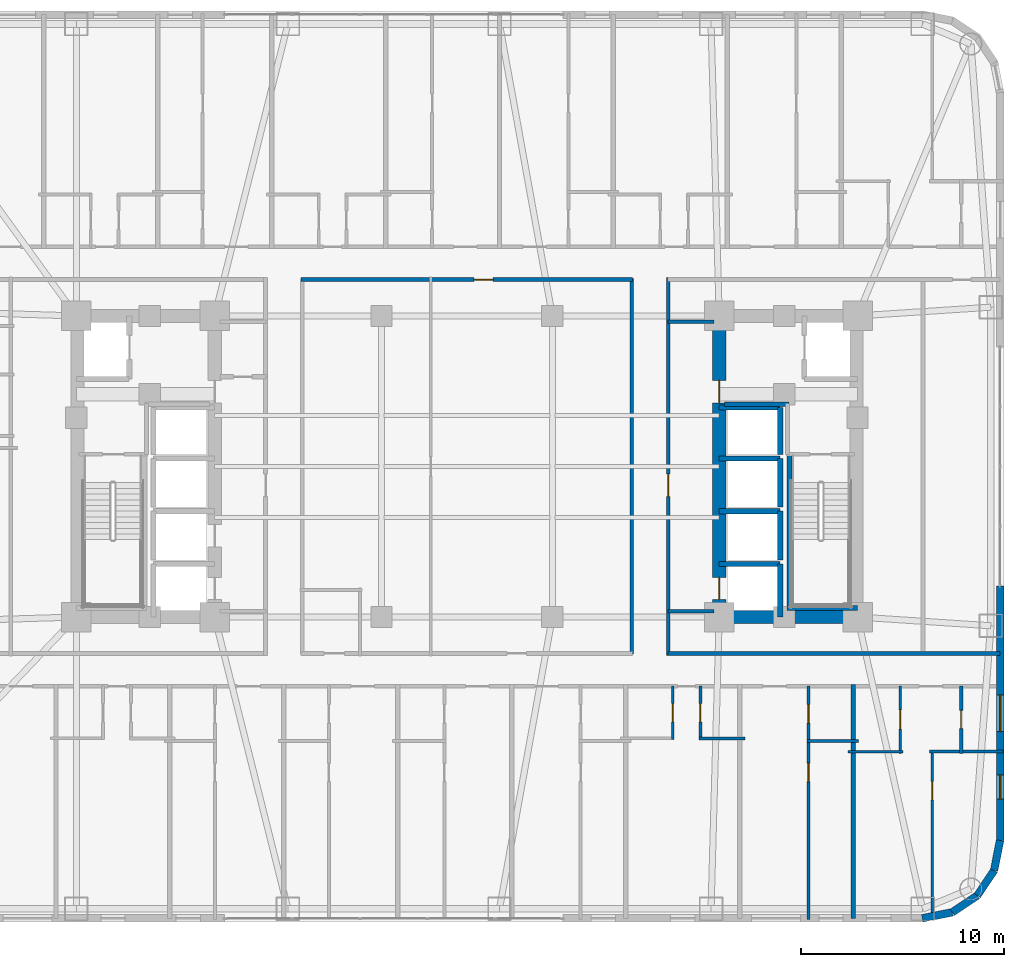
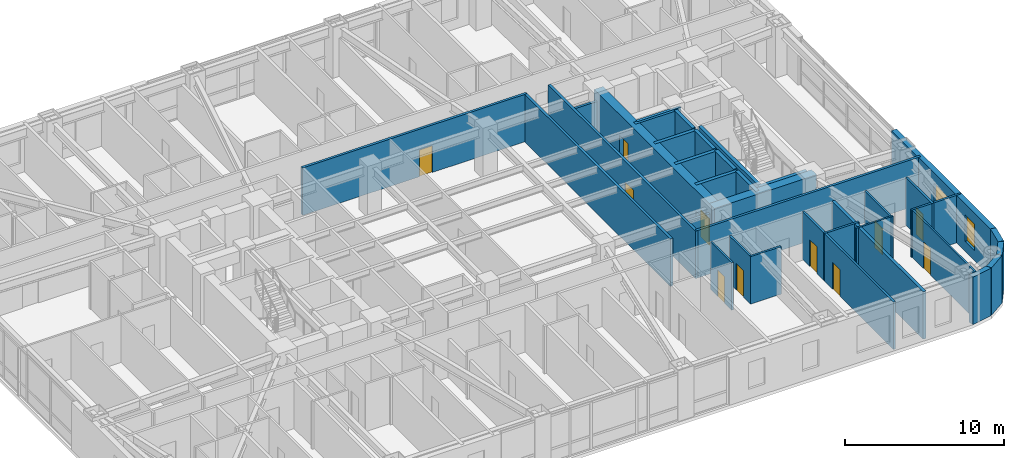
# One storey, part 23 of 28: 36 walls, 11 doors, 2 windows, 13 openings.
"""IFC4 building model written with IfcOpenShell, lengths in metres."""

from ifc_helpers import new_model, si_unit, direction, frame, frame_2d, origin, place, context, subcontext, project, spatial, rectangle, extrude, material, layer, layer_set, type_object, element, fill, save


model = new_model("IFC4")

# Units and contexts
model_context = context("Model", 3, precision=1e-05, world=origin(), true_north=direction((0.0, 1.0)))
body_context = subcontext(model_context, "Body", "Model", "MODEL_VIEW")
ifc_project = project(units=[si_unit("LENGTHUNIT", "METRE"), si_unit("AREAUNIT", "SQUARE_METRE"), si_unit("VOLUMEUNIT", "CUBIC_METRE"), si_unit("PLANEANGLEUNIT", "RADIAN"), si_unit("MASSUNIT", "GRAM", prefix="KILO")], contexts=[model_context])

# Site, building, storey
site_placement = place(None, origin())
site = spatial("IfcSite", under=ifc_project, at=site_placement, CompositionType="ELEMENT")
building_placement = place(site_placement, origin())
building = spatial("IfcBuilding", under=site, at=building_placement, Name="Voryun Gate Residences", CompositionType="ELEMENT")
storey_placement = place(building_placement, frame((0.0, 0.0, 61.10009765625)))
storey = spatial("IfcBuildingStorey", under=building, at=storey_placement, Name="L14", CompositionType="ELEMENT", Elevation=61.10009765625)

# Wall
ifc_material_1 = material(Name="Concrete C60/75", Category="concrete")
ifc_layer_1 = layer(ifc_material_1, 0.64990234375, Name="CW_CORE_650")
ifc_layer_set_1 = layer_set([ifc_layer_1], Name="Concrete C60/75")
wall_type_1 = type_object("IfcWallType", Name="CW_CORE_650", PredefinedType="SHEAR", material=ifc_layer_set_1)
wall_1_placement = place(storey_placement, frame((12.074951171875, -7.39990234375, 0.0), z_axis=(0.0, 0.0, 1.0), x_axis=(1.0, 0.0, 0.0)))
element("IfcWall", 1, at=wall_1_placement, inside=storey, type_object=wall_type_1, Name="L14 Core shear wall CW-L14-ES", PredefinedType="SHEAR", context=body_context, shape_type="SweptSolid", body=[
    extrude(rectangle(XDim=7.449951171875, YDim=0.64990234375, at=frame_2d((3.72509765625, 0.0))), origin(), (0.0, 0.0, 1.0), 3.64990234375),
])

# Wall, openings, doors
wall_2_placement = place(storey_placement, frame((12.39990234375, -7.39990234375, 0.0), z_axis=(0.0, 0.0, 1.0), x_axis=(0.0, 1.0, 0.0)))
wall_2 = element("IfcWall", 2, at=wall_2_placement, inside=storey, type_object=wall_type_1, Name="L14 Core shear wall CW-L14-EW", PredefinedType="SHEAR", context=body_context, shape_type="SweptSolid", body=[
    extrude(rectangle(XDim=14.7998046875, YDim=0.64990234375, at=frame_2d((7.39990234375, 0.0))), origin(), (0.0, 0.0, 1.0), 3.64990234375),
])
opening_1_placement = place(wall_2_placement, frame((0.85009765625, 0.0, 0.0)))
opening_1 = element("IfcOpeningElement", 3, at=opening_1_placement, cuts=wall_2, Name="Opening LD2", PredefinedType="OPENING", context=body_context, shape_type="SweptSolid", body=[
    extrude(rectangle(XDim=1.10009765625, YDim=2.050048828125, at=frame_2d((0.550048828125, 1.02490234375))), frame((0.0, 0.3349609375, 0.0), z_axis=(0.0, -1.0, 0.0), x_axis=(1.0, 0.0, 0.0)), (0.0, 0.0, 1.0), 0.669921875),
])
opening_2_placement = place(wall_2_placement, frame((10.530029296875, 0.0, 0.0)))
opening_2 = element("IfcOpeningElement", 4, at=opening_2_placement, cuts=wall_2, Name="Opening D-FD60-2", PredefinedType="OPENING", context=body_context, shape_type="SweptSolid", body=[
    extrude(rectangle(XDim=1.10009765625, YDim=2.050048828125, at=frame_2d((0.550048828125, 1.02490234375))), frame((0.0, 0.3349609375, 0.0), z_axis=(0.0, -1.0, 0.0), x_axis=(1.0, 0.0, 0.0)), (0.0, 0.0, 1.0), 0.669921875),
])
ifc_material_2 = material(Name="Painted steel fire door", Category="steel")
door_type_1 = type_object("IfcDoorType", Name="DR_FD60_FFLOB_1100", OperationType="NOTDEFINED", PredefinedType="DOOR", material=ifc_material_2)
door_1_placement = place(opening_2_placement, origin())
door_1 = element("IfcDoor", 5, at=door_1_placement, inside=storey, type_object=door_type_1, Name="Door DR-L14-CLOB-E", OperationType="SINGLE_SWING_RIGHT", OverallHeight=2.050048828125, OverallWidth=1.10009765625, PredefinedType="DOOR", context=body_context, shape_type="SweptSolid", body=[
    extrude(rectangle(XDim=1.10009765625, YDim=2.050048828125, at=frame_2d((0.550048828125, 1.02490234375))), frame((0.0, 0.02490234375, 0.0), z_axis=(0.0, -1.0, 0.0), x_axis=(1.0, 0.0, 0.0)), (0.0, 0.0, 1.0), 0.050048828125),
])
fill(opening_2, door_1)
ifc_material_3 = material(Name="Anodised aluminium", Category="aluminium")
door_type_2 = type_object("IfcDoorType", Name="DR_LD_PASS_1100", OperationType="NOTDEFINED", PredefinedType="DOOR", material=ifc_material_3)
door_2_placement = place(opening_1_placement, origin())
door_2 = element("IfcDoor", 6, at=door_2_placement, inside=storey, type_object=door_type_2, Name="Lift EL-P3 sliding landing door L14", OperationType="SLIDING_TO_LEFT", OverallHeight=2.050048828125, OverallWidth=1.10009765625, PredefinedType="DOOR", context=body_context, shape_type="SweptSolid", body=[
    extrude(rectangle(XDim=1.10009765625, YDim=2.050048828125, at=frame_2d((0.550048828125, 1.02490234375))), frame((0.0, 0.02490234375, 0.0), z_axis=(0.0, -1.0, 0.0), x_axis=(1.0, 0.0, 0.0)), (0.0, 0.0, 1.0), 0.050048828125),
])
fill(opening_1, door_2)

# Walls
ifc_material_4 = material(Name="Gypsum acoustic fireboard")
ifc_layer_2 = layer(ifc_material_4, 0.179931640625, Name="W_CORR_RATED_180")
ifc_layer_set_2 = layer_set([ifc_layer_2], Name="Gypsum acoustic fireboard")
wall_type_2 = type_object("IfcWallType", Name="W_CORR_RATED_180", PredefinedType="PARTITIONING", material=ifc_layer_set_2)
for number, where, z_axis, x_axis, name in (
    (7, (9.8798828125, 7.1201171875, 0.0), (0.0, 0.0, 1.0), (1.0, 0.0, 0.0), "Partition wall WP-L14-PLBN-E"),
    (8, (9.8798828125, -7.1201171875, 0.0), (0.0, 0.0, 1.0), (1.0, 0.0, 0.0), "Partition wall WP-L14-PLBS-E"),
):
    element("IfcWall", number, at=place(storey_placement, frame(where, z_axis=z_axis, x_axis=x_axis)), inside=storey, type_object=wall_type_2, Name=name, PredefinedType="PARTITIONING", context=body_context, shape_type="SweptSolid", body=[
        extrude(rectangle(XDim=2.27001953125, YDim=0.179931640625, at=frame_2d((1.135009765625, 0.0))), origin(), (0.0, 0.0, 1.0), 2.93994140625),
    ])

# Wall, opening, door
wall_3_placement = place(storey_placement, frame((9.89990234375, -9.280029296875, 0.0), z_axis=(0.0, 0.0, 1.0), x_axis=(0.0, 1.0, 0.0)))
wall_3 = element("IfcWall", 9, at=wall_3_placement, inside=storey, type_object=wall_type_2, Name="Partition wall WP-L14-PLBE-FULL", PredefinedType="PARTITIONING", context=body_context, shape_type="SweptSolid", body=[
    extrude(rectangle(XDim=18.56005859375, YDim=0.179931640625, at=frame_2d((9.280029296875, 0.0))), origin(), (0.0, 0.0, 1.0), 3.64990234375),
])
opening_3_placement = place(wall_3_placement, frame((7.802001953125, 0.0, 0.0)))
opening_3 = element("IfcOpeningElement", 10, at=opening_3_placement, cuts=wall_3, Name="Opening D-FD60-2", PredefinedType="OPENING", context=body_context, shape_type="SweptSolid", body=[
    extrude(rectangle(XDim=1.10009765625, YDim=2.050048828125, at=frame_2d((0.550048828125, 1.02490234375))), frame((0.0, 0.099853515625, 0.0), z_axis=(0.0, -1.0, 0.0), x_axis=(1.0, 0.0, 0.0)), (0.0, 0.0, 1.0), 0.199951171875),
])
door_3_placement = place(opening_3_placement, origin())
door_3 = element("IfcDoor", 11, at=door_3_placement, inside=storey, type_object=door_type_1, Name="Door DR-L14-PLBE-COR", OperationType="SINGLE_SWING_RIGHT", OverallHeight=2.050048828125, OverallWidth=1.10009765625, PredefinedType="DOOR", context=body_context, shape_type="SweptSolid", body=[
    extrude(rectangle(XDim=1.10009765625, YDim=2.050048828125, at=frame_2d((0.550048828125, 1.02490234375))), frame((0.0, 0.02490234375, 0.0), z_axis=(0.0, -1.0, 0.0), x_axis=(1.0, 0.0, 0.0)), (0.0, 0.0, 1.0), 0.050048828125),
])
fill(opening_3, door_3)

# Wall
wall_4_placement = place(storey_placement, frame((9.8798828125, -9.18994140625, 0.0), z_axis=(0.0, 0.0, 1.0), x_axis=(1.0, 0.0, 0.0)))
element("IfcWall", 12, at=wall_4_placement, inside=storey, type_object=wall_type_2, Name="Partition wall WP-L14-CWING-ES", PredefinedType="PARTITIONING", context=body_context, shape_type="SweptSolid", body=[
    extrude(rectangle(XDim=16.330078125, YDim=0.179931640625, at=frame_2d((8.1650390625, 0.0))), origin(), (0.0, 0.0, 1.0), 3.64990234375),
])

# Wall, opening, door
wall_5_placement = place(storey_placement, frame((-8.14990234375, 9.18994140625, 0.0), z_axis=(0.0, 0.0, 1.0), x_axis=(1.0, 0.0, 0.0)))
wall_5 = element("IfcWall", 13, at=wall_5_placement, inside=storey, type_object=wall_type_2, Name="Partition wall WP-L14-Z1N", PredefinedType="PARTITIONING", context=body_context, shape_type="SweptSolid", body=[
    extrude(rectangle(XDim=16.2998046875, YDim=0.179931640625, at=frame_2d((8.14990234375, 0.0))), origin(), (0.0, 0.0, 1.0), 3.64990234375),
])
opening_4_placement = place(wall_5_placement, frame((8.489990234375, 0.0, 0.0)))
opening_4 = element("IfcOpeningElement", 14, at=opening_4_placement, cuts=wall_5, Name="Opening D-INT-1", PredefinedType="OPENING", context=body_context, shape_type="SweptSolid", body=[
    extrude(rectangle(XDim=0.949951171875, YDim=2.050048828125, at=frame_2d((0.47509765625, 1.02490234375))), frame((0.0, 0.099853515625, 0.0), z_axis=(0.0, -1.0, 0.0), x_axis=(1.0, 0.0, 0.0)), (0.0, 0.0, 1.0), 0.199951171875),
])
ifc_material_5 = material(Name="Architectural oak veneer")
door_type_3 = type_object("IfcDoorType", Name="DR_INT_ROOM_950", OperationType="NOTDEFINED", PredefinedType="DOOR", material=ifc_material_5)
door_4_placement = place(opening_4_placement, origin())
door_4 = element("IfcDoor", 15, at=door_4_placement, inside=storey, type_object=door_type_3, Name="Door DR-L14-CMIDZ1N", OperationType="SINGLE_SWING_LEFT", OverallHeight=2.050048828125, OverallWidth=0.949951171875, PredefinedType="DOOR", context=body_context, shape_type="SweptSolid", body=[
    extrude(rectangle(XDim=0.949951171875, YDim=2.050048828125, at=frame_2d((0.47509765625, 1.02490234375))), frame((0.0, 0.02490234375, 0.0), z_axis=(0.0, -1.0, 0.0), x_axis=(1.0, 0.0, 0.0)), (0.0, 0.0, 1.0), 0.050048828125),
])
fill(opening_4, door_4)

# Wall
wall_6_placement = place(storey_placement, frame((8.10009765625, -9.22998046875, 0.0), z_axis=(0.0, 0.0, 1.0), x_axis=(0.0, 1.0, 0.0)))
element("IfcWall", 16, at=wall_6_placement, inside=storey, type_object=wall_type_2, Name="Partition wall WP-L14-Z1E", PredefinedType="PARTITIONING", context=body_context, shape_type="SweptSolid", body=[
    extrude(rectangle(XDim=18.4599609375, YDim=0.179931640625, at=frame_2d((9.22998046875, 0.0))), origin(), (0.0, 0.0, 1.0), 3.64990234375),
])

# Wall, openings, windows
ifc_material_6 = material(Name="Granite masonry", Category="masonry")
ifc_layer_3 = layer(ifc_material_6, 0.3798828125, Name="W_EXT_GRANITE_380")
ifc_layer_set_3 = layer_set([ifc_layer_3], Name="Granite masonry")
wall_type_3 = type_object("IfcWallType", Name="W_EXT_GRANITE_380", PredefinedType="ELEMENTEDWALL", material=ifc_layer_set_3)
wall_7_placement = place(storey_placement, frame((26.2099609375, -5.882080078125, 0.0), z_axis=(0.0, 0.0, 1.0), x_axis=(0.0, -1.0, 0.0)))
wall_7 = element("IfcWall", 17, at=wall_7_placement, inside=storey, type_object=wall_type_3, Name="Exterior wall WEXT-L14-16B", PredefinedType="ELEMENTEDWALL", context=body_context, shape_type="SweptSolid", body=[
    extrude(rectangle(XDim=12.499267578125, YDim=0.3798828125, at=frame_2d((6.24951171875, 0.0))), origin(), (0.0, 0.0, 1.0), 3.64990234375),
])
opening_5_placement = place(wall_7_placement, frame((5.349609375, 0.0, 0.75)))
opening_5 = element("IfcOpeningElement", 18, at=opening_5_placement, cuts=wall_7, Name="Opening WN1", PredefinedType="OPENING", context=body_context, shape_type="SweptSolid", body=[
    extrude(rectangle(XDim=1.800048828125, YDim=2.10009765625, at=frame_2d((0.89990234375, 1.050048828125))), frame((0.0, 0.199951171875, 0.0), z_axis=(0.0, -1.0, 0.0), x_axis=(1.0, 0.0, 0.0)), (0.0, 0.0, 1.0), 0.39990234375),
])
opening_6_placement = place(wall_7_placement, frame((9.273681640625, 0.0, 0.75)))
opening_6 = element("IfcOpeningElement", 19, at=opening_6_placement, cuts=wall_7, Name="Opening WN6", PredefinedType="OPENING", context=body_context, shape_type="SweptSolid", body=[
    extrude(rectangle(XDim=1.199951171875, YDim=2.050048828125, at=frame_2d((0.60009765625, 1.02490234375))), frame((0.0, 0.199951171875, 0.0), z_axis=(0.0, -1.0, 0.0), x_axis=(1.0, 0.0, 0.0)), (0.0, 0.0, 1.0), 0.39990234375),
])
ifc_material_7 = material(Name="Laminated low-E glass", Category="glass")
window_type_1 = type_object("IfcWindowType", Name="WN_POD_SLOT_1200", PartitioningType="SINGLE_PANEL", PredefinedType="WINDOW", material=ifc_material_7)
window_1_placement = place(opening_6_placement, origin())
window_1 = element("IfcWindow", 20, at=window_1_placement, inside=storey, type_object=window_type_1, Name="Window WN-L14-DWFIX-20", OverallHeight=2.050048828125, OverallWidth=1.199951171875, PartitioningType="SINGLE_PANEL", PredefinedType="WINDOW", context=body_context, shape_type="SweptSolid", body=[
    extrude(rectangle(XDim=1.199951171875, YDim=2.050048828125, at=frame_2d((0.60009765625, 1.02490234375))), frame((0.0, 0.030029296875, 0.0), z_axis=(0.0, -1.0, 0.0), x_axis=(1.0, 0.0, 0.0)), (0.0, 0.0, 1.0), 0.06005859375),
])
fill(opening_6, window_1)
ifc_material_8 = material(Name="Laminated low-E glass", Category="glass")
window_type_2 = type_object("IfcWindowType", Name="WN_RES_PUNCH_1800", PartitioningType="SINGLE_PANEL", PredefinedType="WINDOW", material=ifc_material_8)
window_2_placement = place(opening_5_placement, origin())
window_2 = element("IfcWindow", 21, at=window_2_placement, inside=storey, type_object=window_type_2, Name="Window WN-WEXT-L14-16B-01", OverallHeight=2.10009765625, OverallWidth=1.800048828125, PartitioningType="SINGLE_PANEL", PredefinedType="WINDOW", context=body_context, shape_type="SweptSolid", body=[
    extrude(rectangle(XDim=1.800048828125, YDim=2.10009765625, at=frame_2d((0.89990234375, 1.050048828125))), frame((0.0, 0.030029296875, 0.0), z_axis=(0.0, -1.0, 0.0), x_axis=(1.0, 0.0, 0.0)), (0.0, 0.0, 1.0), 0.06005859375),
])
fill(opening_5, window_2)

# Walls
wall_8_placement = place(storey_placement, frame((26.2099609375, -18.38134765625, 0.0), z_axis=(0.0, 0.0, 1.0), x_axis=(-0.195086038585, -0.980786132421, 0.0)))
element("IfcWall", 22, at=wall_8_placement, inside=storey, type_object=wall_type_3, Name="Exterior wall WEXT-L14-17", PredefinedType="ELEMENTEDWALL", context=body_context, shape_type="SweptSolid", body=[
    extrude(rectangle(XDim=1.504150390625, YDim=0.3798828125, at=frame_2d((0.751953125, 0.0))), origin(), (0.0, 0.0, 1.0), 3.64990234375),
])
for number, where, z_axis, x_axis, name in (
    (23, (25.91650390625, -19.856689453125, 0.0), (0.0, 0.0, 1.0), (-0.555686231674, -0.831392092774, 0.0), "Exterior wall WEXT-L14-18"),
    (24, (25.09130859375, -21.09130859375, 0.0), (0.0, 0.0, 1.0), (-0.831392092774, -0.555686231674, 0.0), "Exterior wall WEXT-L14-19"),
):
    element("IfcWall", number, at=place(storey_placement, frame(where, z_axis=z_axis, x_axis=x_axis)), inside=storey, type_object=wall_type_3, Name=name, PredefinedType="ELEMENTEDWALL", context=body_context, shape_type="SweptSolid", body=[
        extrude(rectangle(XDim=1.485107421875, YDim=0.3798828125, at=frame_2d((0.74267578125, 0.0))), origin(), (0.0, 0.0, 1.0), 3.64990234375),
    ])
wall_9_placement = place(storey_placement, frame((23.856689453125, -21.91650390625, 0.0), z_axis=(0.0, 0.0, 1.0), x_axis=(-0.980786132421, -0.195086038585, 0.0)))
element("IfcWall", 25, at=wall_9_placement, inside=storey, type_object=wall_type_3, Name="Exterior wall WEXT-L14-20", PredefinedType="ELEMENTEDWALL", context=body_context, shape_type="SweptSolid", body=[
    extrude(rectangle(XDim=1.504150390625, YDim=0.3798828125, at=frame_2d((0.751953125, 0.0))), origin(), (0.0, 0.0, 1.0), 3.64990234375),
])
ifc_material_9 = material(Name="Concrete C40/50", Category="concrete")
ifc_layer_4 = layer(ifc_material_9, 0.199951171875, Name="W_FF_LOBBY_200")
ifc_layer_set_4 = layer_set([ifc_layer_4], Name="Concrete C40/50")
wall_type_4 = type_object("IfcWallType", Name="W_FF_LOBBY_200", PredefinedType="PARTITIONING", material=ifc_layer_set_4)
wall_10_placement = place(storey_placement, frame((12.659912109375, 3.06005859375, 0.0), z_axis=(0.0, 0.0, 1.0), x_axis=(1.0, 0.0, 0.0)))
element("IfcWall", 26, at=wall_10_placement, inside=storey, type_object=wall_type_4, Name="Partition wall WP-L14-FFPS-E", PredefinedType="PARTITIONING", context=body_context, shape_type="SweptSolid", body=[
    extrude(rectangle(XDim=3.16015625, YDim=0.199951171875, at=frame_2d((1.580078125, 0.0))), origin(), (0.0, 0.0, 1.0), 3.64990234375),
])
ifc_material_10 = material(Name="Concrete C40/50", Category="concrete")
ifc_layer_5 = layer(ifc_material_10, 0.219970703125, Name="W_PARTY_ACOUSTIC_220")
ifc_layer_set_5 = layer_set([ifc_layer_5], Name="Concrete C40/50")
wall_type_5 = type_object("IfcWallType", Name="W_PARTY_ACOUSTIC_220", PredefinedType="PARTITIONING", material=ifc_layer_set_5)
wall_11_placement = place(storey_placement, frame((19.0, -22.2099609375, 0.0), z_axis=(0.0, 0.0, 1.0), x_axis=(0.0, 1.0, 0.0)))
element("IfcWall", 27, at=wall_11_placement, inside=storey, type_object=wall_type_5, Name="Partition wall WP-L14-SPTY-9", PredefinedType="PARTITIONING", context=body_context, shape_type="SweptSolid", body=[
    extrude(rectangle(XDim=11.489990234375, YDim=0.219970703125, at=frame_2d((5.7451171875, 0.0))), origin(), (0.0, 0.0, 1.0), 3.64990234375),
])
ifc_material_11 = material(Name="Concrete C50/60", Category="concrete")
ifc_layer_6 = layer(ifc_material_11, 0.25, Name="W_SHAFT_RC250")
ifc_layer_set_6 = layer_set([ifc_layer_6], Name="Concrete C50/60")
wall_type_6 = type_object("IfcWallType", Name="W_SHAFT_RC250", PredefinedType="SOLIDWALL", material=ifc_layer_set_6)
wall_12_placement = place(storey_placement, frame((15.860107421875, -7.0849609375, 0.0), z_axis=(0.0, 0.0, 1.0), x_axis=(0.0, 1.0, 0.0)))
element("IfcWall", 28, at=wall_12_placement, inside=storey, type_object=wall_type_6, Name="L14 Stair shaft structural wall E-STL", PredefinedType="SOLIDWALL", context=body_context, shape_type="SweptSolid", body=[
    extrude(rectangle(XDim=7.68505859375, YDim=0.25, at=frame_2d((3.842529296875, 0.0))), origin(), (0.0, 0.0, 1.0), 3.64990234375),
])
wall_13_placement = place(storey_placement, frame((15.739990234375, -6.965087890625, 0.0), z_axis=(0.0, 0.0, 1.0), x_axis=(1.0, 0.0, 0.0)))
element("IfcWall", 29, at=wall_13_placement, inside=storey, type_object=wall_type_6, Name="L14 Stair shaft structural wall E-STS", PredefinedType="SOLIDWALL", context=body_context, shape_type="SweptSolid", body=[
    extrude(rectangle(XDim=3.4599609375, YDim=0.25, at=frame_2d((1.72998046875, 0.0))), origin(), (0.0, 0.0, 1.0), 3.64990234375),
])
wall_14_placement = place(storey_placement, frame((15.39990234375, -7.39990234375, 0.0), z_axis=(0.0, 0.0, 1.0), x_axis=(0.0, 1.0, 0.0)))
element("IfcWall", 30, at=wall_14_placement, inside=storey, type_object=wall_type_6, Name="Lift shaft wall WSH-L14-EL-P3-E", PredefinedType="SOLIDWALL", context=body_context, shape_type="SweptSolid", body=[
    extrude(rectangle(XDim=2.599853515625, YDim=0.25, at=frame_2d((1.2998046875, 0.0))), origin(), (0.0, 0.0, 1.0), 3.64990234375),
])
wall_15_placement = place(storey_placement, frame((15.39990234375, -4.800048828125, 0.0), z_axis=(0.0, 0.0, 1.0), x_axis=(-1.0, 0.0, 0.0)))
element("IfcWall", 31, at=wall_15_placement, inside=storey, type_object=wall_type_6, Name="Lift shaft wall WSH-L14-EL-P3-N", PredefinedType="SOLIDWALL", context=body_context, shape_type="SweptSolid", body=[
    extrude(rectangle(XDim=3.0, YDim=0.25, at=frame_2d((1.5, 0.0))), origin(), (0.0, 0.0, 1.0), 3.64990234375),
])
wall_16_placement = place(storey_placement, frame((15.39990234375, -4.60009765625, 0.0), z_axis=(0.0, 0.0, 1.0), x_axis=(0.0, 1.0, 0.0)))
element("IfcWall", 32, at=wall_16_placement, inside=storey, type_object=wall_type_6, Name="Lift shaft wall WSH-L14-EL-P5-E", PredefinedType="SOLIDWALL", context=body_context, shape_type="SweptSolid", body=[
    extrude(rectangle(XDim=2.400146484375, YDim=0.25, at=frame_2d((1.2001953125, 0.0))), origin(), (0.0, 0.0, 1.0), 3.64990234375),
])
wall_17_placement = place(storey_placement, frame((15.39990234375, -2.199951171875, 0.0), z_axis=(0.0, 0.0, 1.0), x_axis=(-1.0, 0.0, 0.0)))
element("IfcWall", 33, at=wall_17_placement, inside=storey, type_object=wall_type_6, Name="Lift shaft wall WSH-L14-EL-P5-N", PredefinedType="SOLIDWALL", context=body_context, shape_type="SweptSolid", body=[
    extrude(rectangle(XDim=3.0, YDim=0.25, at=frame_2d((1.5, 0.0))), origin(), (0.0, 0.0, 1.0), 3.64990234375),
])
wall_18_placement = place(storey_placement, frame((15.39990234375, -2.0, 0.0), z_axis=(0.0, 0.0, 1.0), x_axis=(0.0, 1.0, 0.0)))
element("IfcWall", 34, at=wall_18_placement, inside=storey, type_object=wall_type_6, Name="Lift shaft wall WSH-L14-EL-P6-E", PredefinedType="SOLIDWALL", context=body_context, shape_type="SweptSolid", body=[
    extrude(rectangle(XDim=2.39990234375, YDim=0.25, at=frame_2d((1.199951171875, 0.0))), origin(), (0.0, 0.0, 1.0), 3.64990234375),
])
wall_19_placement = place(storey_placement, frame((15.39990234375, 0.39990234375, 0.0), z_axis=(0.0, 0.0, 1.0), x_axis=(-1.0, 0.0, 0.0)))
element("IfcWall", 35, at=wall_19_placement, inside=storey, type_object=wall_type_6, Name="Lift shaft wall WSH-L14-EL-P6-N", PredefinedType="SOLIDWALL", context=body_context, shape_type="SweptSolid", body=[
    extrude(rectangle(XDim=3.0, YDim=0.25, at=frame_2d((1.5, 0.0))), origin(), (0.0, 0.0, 1.0), 3.64990234375),
])
wall_20_placement = place(storey_placement, frame((15.39990234375, 0.60009765625, 0.0), z_axis=(0.0, 0.0, 1.0), x_axis=(0.0, 1.0, 0.0)))
element("IfcWall", 36, at=wall_20_placement, inside=storey, type_object=wall_type_6, Name="Lift shaft wall WSH-L14-EL-P8-E", PredefinedType="SOLIDWALL", context=body_context, shape_type="SweptSolid", body=[
    extrude(rectangle(XDim=2.2998046875, YDim=0.25, at=frame_2d((1.14990234375, 0.0))), origin(), (0.0, 0.0, 1.0), 3.64990234375),
])
wall_21_placement = place(storey_placement, frame((15.39990234375, 2.89990234375, 0.0), z_axis=(0.0, 0.0, 1.0), x_axis=(-1.0, 0.0, 0.0)))
element("IfcWall", 37, at=wall_21_placement, inside=storey, type_object=wall_type_6, Name="Lift shaft wall WSH-L14-EL-P8-N", PredefinedType="SOLIDWALL", context=body_context, shape_type="SweptSolid", body=[
    extrude(rectangle(XDim=3.0, YDim=0.25, at=frame_2d((1.5, 0.0))), origin(), (0.0, 0.0, 1.0), 3.64990234375),
])

# Wall, opening, door
ifc_material_12 = material(Name="Gypsum acoustic partition")
ifc_layer_7 = layer(ifc_material_12, 0.125, Name="W_UNIT_PART_125")
ifc_layer_set_7 = layer_set([ifc_layer_7], Name="Gypsum acoustic partition")
wall_type_7 = type_object("IfcWallType", Name="W_UNIT_PART_125", PredefinedType="PARTITIONING", material=ifc_layer_set_7)
wall_22_placement = place(storey_placement, frame((10.110107421875, -13.429931640625, 0.0), z_axis=(0.0, 0.0, 1.0), x_axis=(0.0, 1.0, 0.0)))
wall_22 = element("IfcWall", 38, at=wall_22_placement, inside=storey, type_object=wall_type_7, Name="Partition wall WP-L14-S8-CVK", PredefinedType="PARTITIONING", context=body_context, shape_type="SweptSolid", body=[
    extrude(rectangle(XDim=2.64990234375, YDim=0.125, at=frame_2d((1.324951171875, 0.0))), origin(), (0.0, 0.0, 1.0), 3.64990234375),
])
opening_7_placement = place(wall_22_placement, frame((0.875, 0.0, 0.0)))
opening_7 = element("IfcOpeningElement", 39, at=opening_7_placement, cuts=wall_22, Name="Opening D-INT-2", PredefinedType="OPENING", context=body_context, shape_type="SweptSolid", body=[
    extrude(rectangle(XDim=0.89990234375, YDim=2.050048828125, at=frame_2d((0.449951171875, 1.02490234375))), frame((0.0, 0.072509765625, 0.0), z_axis=(0.0, -1.0, 0.0), x_axis=(1.0, 0.0, 0.0)), (0.0, 0.0, 1.0), 0.14501953125),
])
ifc_material_13 = material(Name="Architectural oak veneer")
door_type_4 = type_object("IfcDoorType", Name="DR_INT_BATH_900", OperationType="NOTDEFINED", PredefinedType="DOOR", material=ifc_material_13)
door_5_placement = place(opening_7_placement, origin())
door_5 = element("IfcDoor", 40, at=door_5_placement, inside=storey, type_object=door_type_4, Name="Door DR-L14-S8-DK", OperationType="SINGLE_SWING_LEFT", OverallHeight=2.050048828125, OverallWidth=0.89990234375, PredefinedType="DOOR", context=body_context, shape_type="SweptSolid", body=[
    extrude(rectangle(XDim=0.89990234375, YDim=2.050048828125, at=frame_2d((0.449951171875, 1.02490234375))), frame((0.0, 0.02490234375, 0.0), z_axis=(0.0, -1.0, 0.0), x_axis=(1.0, 0.0, 0.0)), (0.0, 0.0, 1.0), 0.050048828125),
])
fill(opening_7, door_5)

wall_23_placement = place(storey_placement, frame((22.867919921875, -22.26611328125, 0.0), z_axis=(0.0, 0.0, 1.0), x_axis=(0.0, 1.0, 0.0)))
wall_23 = element("IfcWall", 41, at=wall_23_placement, inside=storey, type_object=wall_type_7, Name="Partition wall WP-L14-S10-OVR", PredefinedType="PARTITIONING", context=body_context, shape_type="SweptSolid", body=[
    extrude(rectangle(XDim=8.326171875, YDim=0.125, at=frame_2d((4.1630859375, 0.0))), origin(), (0.0, 0.0, 1.0), 3.64990234375),
])
opening_8_placement = place(wall_23_placement, frame((5.877685546875, 0.0, 0.0)))
opening_8 = element("IfcOpeningElement", 42, at=opening_8_placement, cuts=wall_23, Name="Opening D-INT-2", PredefinedType="OPENING", context=body_context, shape_type="SweptSolid", body=[
    extrude(rectangle(XDim=0.89990234375, YDim=2.050048828125, at=frame_2d((0.449951171875, 1.02490234375))), frame((0.0, 0.072509765625, 0.0), z_axis=(0.0, -1.0, 0.0), x_axis=(1.0, 0.0, 0.0)), (0.0, 0.0, 1.0), 0.14501953125),
])
door_6_placement = place(opening_8_placement, origin())
door_6 = element("IfcDoor", 43, at=door_6_placement, inside=storey, type_object=door_type_4, Name="Door DR-L14-S10-DMB", OperationType="SINGLE_SWING_RIGHT", OverallHeight=2.050048828125, OverallWidth=0.89990234375, PredefinedType="DOOR", context=body_context, shape_type="SweptSolid", body=[
    extrude(rectangle(XDim=0.89990234375, YDim=2.050048828125, at=frame_2d((0.449951171875, 1.02490234375))), frame((0.0, 0.02490234375, 0.0), z_axis=(0.0, -1.0, 0.0), x_axis=(1.0, 0.0, 0.0)), (0.0, 0.0, 1.0), 0.050048828125),
])
fill(opening_8, door_6)

wall_24_placement = place(storey_placement, frame((21.31005859375, -14.10009765625, 0.0), z_axis=(0.0, 0.0, 1.0), x_axis=(0.0, 1.0, 0.0)))
wall_24 = element("IfcWall", 44, at=wall_24_placement, inside=storey, type_object=wall_type_7, Name="Partition wall WP-L14-S10-IVK", PredefinedType="PARTITIONING", context=body_context, shape_type="SweptSolid", body=[
    extrude(rectangle(XDim=3.320068359375, YDim=0.125, at=frame_2d((1.66015625, 0.0))), origin(), (0.0, 0.0, 1.0), 3.64990234375),
])
opening_9_placement = place(wall_24_placement, frame((1.18505859375, 0.0, 0.0)))
opening_9 = element("IfcOpeningElement", 45, at=opening_9_placement, cuts=wall_24, Name="Opening D-INT-1", PredefinedType="OPENING", context=body_context, shape_type="SweptSolid", body=[
    extrude(rectangle(XDim=0.949951171875, YDim=2.050048828125, at=frame_2d((0.47509765625, 1.02490234375))), frame((0.0, 0.072509765625, 0.0), z_axis=(0.0, -1.0, 0.0), x_axis=(1.0, 0.0, 0.0)), (0.0, 0.0, 1.0), 0.14501953125),
])
door_7_placement = place(opening_9_placement, origin())
door_7 = element("IfcDoor", 46, at=door_7_placement, inside=storey, type_object=door_type_3, Name="Door DR-L14-S10-DK", OperationType="SINGLE_SWING_LEFT", OverallHeight=2.050048828125, OverallWidth=0.949951171875, PredefinedType="DOOR", context=body_context, shape_type="SweptSolid", body=[
    extrude(rectangle(XDim=0.949951171875, YDim=2.050048828125, at=frame_2d((0.47509765625, 1.02490234375))), frame((0.0, 0.02490234375, 0.0), z_axis=(0.0, -1.0, 0.0), x_axis=(1.0, 0.0, 0.0)), (0.0, 0.0, 1.0), 0.050048828125),
])
fill(opening_9, door_7)

# Wall
wall_25_placement = place(storey_placement, frame((18.739990234375, -14.02001953125, 0.0), z_axis=(0.0, 0.0, 1.0), x_axis=(1.0, 0.0, 0.0)))
element("IfcWall", 47, at=wall_25_placement, inside=storey, type_object=wall_type_7, Name="Partition wall WP-L14-S10-HZK", PredefinedType="PARTITIONING", context=body_context, shape_type="SweptSolid", body=[
    extrude(rectangle(XDim=2.68994140625, YDim=0.125, at=frame_2d((1.344970703125, 0.0))), origin(), (0.0, 0.0, 1.0), 3.64990234375),
])

# Wall, opening, door
ifc_material_14 = material(Name="Gypsum moisture-resistant partition")
ifc_layer_8 = layer(ifc_material_14, 0.14990234375, Name="W_WET_PLUMB_150")
ifc_layer_set_8 = layer_set([ifc_layer_8], Name="Gypsum moisture-resistant partition")
wall_type_8 = type_object("IfcWallType", Name="W_WET_PLUMB_150", PredefinedType="PLUMBINGWALL", material=ifc_layer_set_8)
wall_26_placement = place(storey_placement, frame((11.47705078125, -13.429931640625, 0.0), z_axis=(0.0, 0.0, 1.0), x_axis=(0.0, 1.0, 0.0)))
wall_26 = element("IfcWall", 48, at=wall_26_placement, inside=storey, type_object=wall_type_8, Name="Partition wall WP-L14-S8-CVB", PredefinedType="PLUMBINGWALL", context=body_context, shape_type="SweptSolid", body=[
    extrude(rectangle(XDim=2.64990234375, YDim=0.14990234375, at=frame_2d((1.324951171875, 0.0))), origin(), (0.0, 0.0, 1.0), 3.64990234375),
])
opening_10_placement = place(wall_26_placement, frame((0.875, 0.0, 0.0)))
opening_10 = element("IfcOpeningElement", 49, at=opening_10_placement, cuts=wall_26, Name="Opening D-INT-2", PredefinedType="OPENING", context=body_context, shape_type="SweptSolid", body=[
    extrude(rectangle(XDim=0.89990234375, YDim=2.050048828125, at=frame_2d((0.449951171875, 1.02490234375))), frame((0.0, 0.0849609375, 0.0), z_axis=(0.0, -1.0, 0.0), x_axis=(1.0, 0.0, 0.0)), (0.0, 0.0, 1.0), 0.169921875),
])
door_8_placement = place(opening_10_placement, origin())
door_8 = element("IfcDoor", 50, at=door_8_placement, inside=storey, type_object=door_type_4, Name="Door DR-L14-S8-DB", OperationType="SINGLE_SWING_RIGHT", OverallHeight=2.050048828125, OverallWidth=0.89990234375, PredefinedType="DOOR", context=body_context, shape_type="SweptSolid", body=[
    extrude(rectangle(XDim=0.89990234375, YDim=2.050048828125, at=frame_2d((0.449951171875, 1.02490234375))), frame((0.0, 0.02490234375, 0.0), z_axis=(0.0, -1.0, 0.0), x_axis=(1.0, 0.0, 0.0)), (0.0, 0.0, 1.0), 0.050048828125),
])
fill(opening_10, door_8)

# Walls
wall_27_placement = place(storey_placement, frame((11.4169921875, -13.3701171875, 0.0), z_axis=(0.0, 0.0, 1.0), x_axis=(1.0, 0.0, 0.0)))
element("IfcWall", 51, at=wall_27_placement, inside=storey, type_object=wall_type_8, Name="Partition wall WP-L14-S8-CHB", PredefinedType="PLUMBINGWALL", context=body_context, shape_type="SweptSolid", body=[
    extrude(rectangle(XDim=2.242919921875, YDim=0.14990234375, at=frame_2d((1.12158203125, 0.0))), origin(), (0.0, 0.0, 1.0), 3.64990234375),
])
wall_28_placement = place(storey_placement, frame((16.7099609375, -13.5, 0.0), z_axis=(0.0, 0.0, 1.0), x_axis=(1.0, 0.0, 0.0)))
element("IfcWall", 52, at=wall_28_placement, inside=storey, type_object=wall_type_8, Name="Partition wall WP-L14-S9-SKB", PredefinedType="PLUMBINGWALL", context=body_context, shape_type="SweptSolid", body=[
    extrude(rectangle(XDim=2.550048828125, YDim=0.14990234375, at=frame_2d((1.27490234375, 0.0))), origin(), (0.0, 0.0, 1.0), 3.64990234375),
])

# Wall, opening, door
wall_29_placement = place(storey_placement, frame((16.7900390625, -22.257568359375, 0.0), z_axis=(0.0, 0.0, 1.0), x_axis=(0.0, 1.0, 0.0)))
wall_29 = element("IfcWall", 53, at=wall_29_placement, inside=storey, type_object=wall_type_8, Name="Partition wall WP-L14-S9-SVT1", PredefinedType="PLUMBINGWALL", context=body_context, shape_type="SweptSolid", body=[
    extrude(rectangle(XDim=8.797607421875, YDim=0.14990234375, at=frame_2d((4.39892578125, 0.0))), origin(), (0.0, 0.0, 1.0), 3.64990234375),
])
opening_11_placement = place(wall_29_placement, frame((6.763916015625, 0.0, 0.0)))
opening_11 = element("IfcOpeningElement", 54, at=opening_11_placement, cuts=wall_29, Name="Opening D-INT-2", PredefinedType="OPENING", context=body_context, shape_type="SweptSolid", body=[
    extrude(rectangle(XDim=0.89990234375, YDim=2.050048828125, at=frame_2d((0.449951171875, 1.02490234375))), frame((0.0, 0.0849609375, 0.0), z_axis=(0.0, -1.0, 0.0), x_axis=(1.0, 0.0, 0.0)), (0.0, 0.0, 1.0), 0.169921875),
])
door_9_placement = place(opening_11_placement, origin())
door_9 = element("IfcDoor", 55, at=door_9_placement, inside=storey, type_object=door_type_4, Name="Door DR-L14-S9-DK", OperationType="SINGLE_SWING_LEFT", OverallHeight=2.050048828125, OverallWidth=0.89990234375, PredefinedType="DOOR", context=body_context, shape_type="SweptSolid", body=[
    extrude(rectangle(XDim=0.89990234375, YDim=2.050048828125, at=frame_2d((0.449951171875, 1.02490234375))), frame((0.0, 0.02490234375, 0.0), z_axis=(0.0, -1.0, 0.0), x_axis=(1.0, 0.0, 0.0)), (0.0, 0.0, 1.0), 0.050048828125),
])
fill(opening_11, door_9)

wall_30_placement = place(storey_placement, frame((16.7900390625, -13.5400390625, 0.0), z_axis=(0.0, 0.0, 1.0), x_axis=(0.0, 1.0, 0.0)))
wall_30 = element("IfcWall", 56, at=wall_30_placement, inside=storey, type_object=wall_type_8, Name="Partition wall WP-L14-S9-SVT2", PredefinedType="PLUMBINGWALL", context=body_context, shape_type="SweptSolid", body=[
    extrude(rectangle(XDim=2.760009765625, YDim=0.14990234375, at=frame_2d((1.3798828125, 0.0))), origin(), (0.0, 0.0, 1.0), 3.64990234375),
])
opening_12_placement = place(wall_30_placement, frame((0.929931640625, 0.0, 0.0)))
opening_12 = element("IfcOpeningElement", 57, at=opening_12_placement, cuts=wall_30, Name="Opening D-INT-2", PredefinedType="OPENING", context=body_context, shape_type="SweptSolid", body=[
    extrude(rectangle(XDim=0.89990234375, YDim=2.050048828125, at=frame_2d((0.449951171875, 1.02490234375))), frame((0.0, 0.0849609375, 0.0), z_axis=(0.0, -1.0, 0.0), x_axis=(1.0, 0.0, 0.0)), (0.0, 0.0, 1.0), 0.169921875),
])
door_10_placement = place(opening_12_placement, origin())
door_10 = element("IfcDoor", 58, at=door_10_placement, inside=storey, type_object=door_type_4, Name="Door DR-L14-S9-DB", OperationType="SINGLE_SWING_RIGHT", OverallHeight=2.050048828125, OverallWidth=0.89990234375, PredefinedType="DOOR", context=body_context, shape_type="SweptSolid", body=[
    extrude(rectangle(XDim=0.89990234375, YDim=2.050048828125, at=frame_2d((0.449951171875, 1.02490234375))), frame((0.0, 0.02490234375, 0.0), z_axis=(0.0, -1.0, 0.0), x_axis=(1.0, 0.0, 0.0)), (0.0, 0.0, 1.0), 0.050048828125),
])
fill(opening_12, door_10)

# Wall
wall_31_placement = place(storey_placement, frame((22.748046875, -14.02001953125, 0.0), z_axis=(0.0, 0.0, 1.0), x_axis=(1.0, 0.0, 0.0)))
element("IfcWall", 59, at=wall_31_placement, inside=storey, type_object=wall_type_8, Name="Partition wall WP-L14-S10-HZB", PredefinedType="PLUMBINGWALL", context=body_context, shape_type="SweptSolid", body=[
    extrude(rectangle(XDim=3.612060546875, YDim=0.14990234375, at=frame_2d((1.80615234375, 0.0))), origin(), (0.0, 0.0, 1.0), 3.64990234375),
])

# Wall, opening, door
wall_32_placement = place(storey_placement, frame((24.298095703125, -14.10009765625, 0.0), z_axis=(0.0, 0.0, 1.0), x_axis=(0.0, 1.0, 0.0)))
wall_32 = element("IfcWall", 60, at=wall_32_placement, inside=storey, type_object=wall_type_8, Name="Partition wall WP-L14-S10-IVB", PredefinedType="PLUMBINGWALL", context=body_context, shape_type="SweptSolid", body=[
    extrude(rectangle(XDim=3.320068359375, YDim=0.14990234375, at=frame_2d((1.66015625, 0.0))), origin(), (0.0, 0.0, 1.0), 3.64990234375),
])
opening_13_placement = place(wall_32_placement, frame((1.2099609375, 0.0, 0.0)))
opening_13 = element("IfcOpeningElement", 61, at=opening_13_placement, cuts=wall_32, Name="Opening D-INT-2", PredefinedType="OPENING", context=body_context, shape_type="SweptSolid", body=[
    extrude(rectangle(XDim=0.89990234375, YDim=2.050048828125, at=frame_2d((0.449951171875, 1.02490234375))), frame((0.0, 0.0849609375, 0.0), z_axis=(0.0, -1.0, 0.0), x_axis=(1.0, 0.0, 0.0)), (0.0, 0.0, 1.0), 0.169921875),
])
door_11_placement = place(opening_13_placement, origin())
door_11 = element("IfcDoor", 62, at=door_11_placement, inside=storey, type_object=door_type_4, Name="Door DR-L14-S10-DB", OperationType="SINGLE_SWING_RIGHT", OverallHeight=2.050048828125, OverallWidth=0.89990234375, PredefinedType="DOOR", context=body_context, shape_type="SweptSolid", body=[
    extrude(rectangle(XDim=0.89990234375, YDim=2.050048828125, at=frame_2d((0.449951171875, 1.02490234375))), frame((0.0, 0.02490234375, 0.0), z_axis=(0.0, -1.0, 0.0), x_axis=(1.0, 0.0, 0.0)), (0.0, 0.0, 1.0), 0.050048828125),
])
fill(opening_13, door_11)

save(model, "model.ifc")
